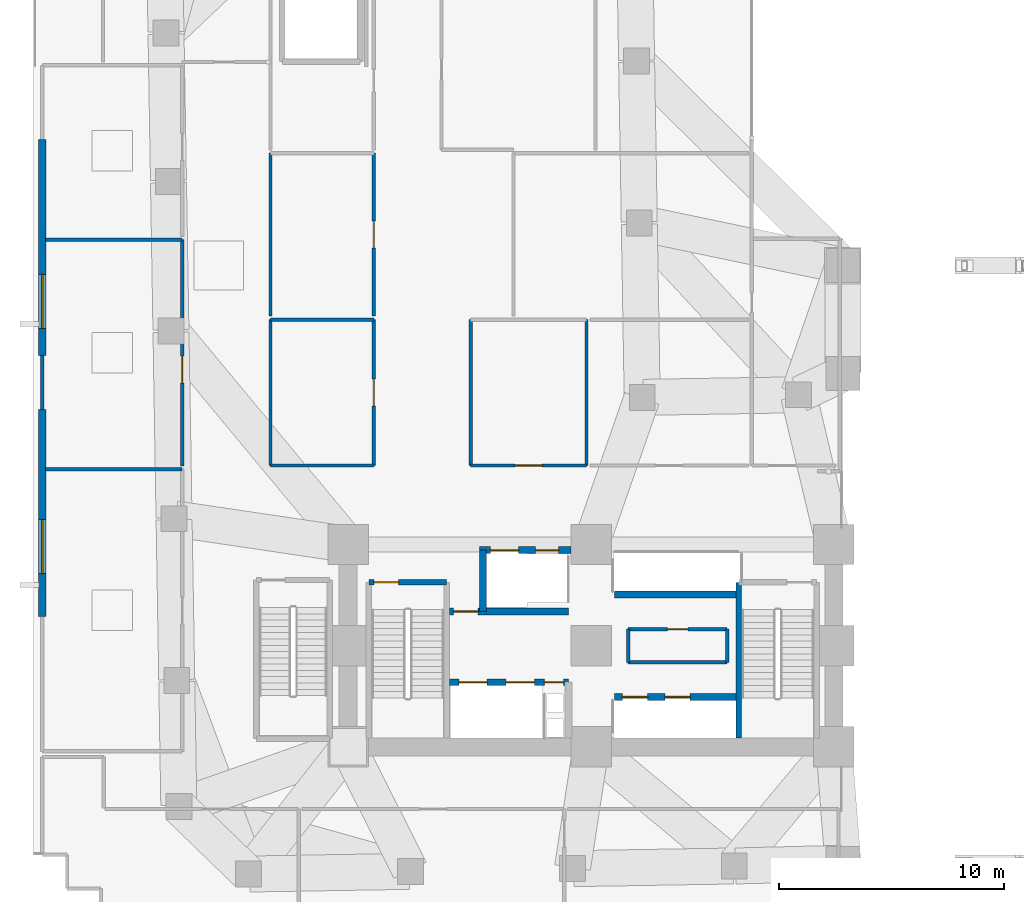
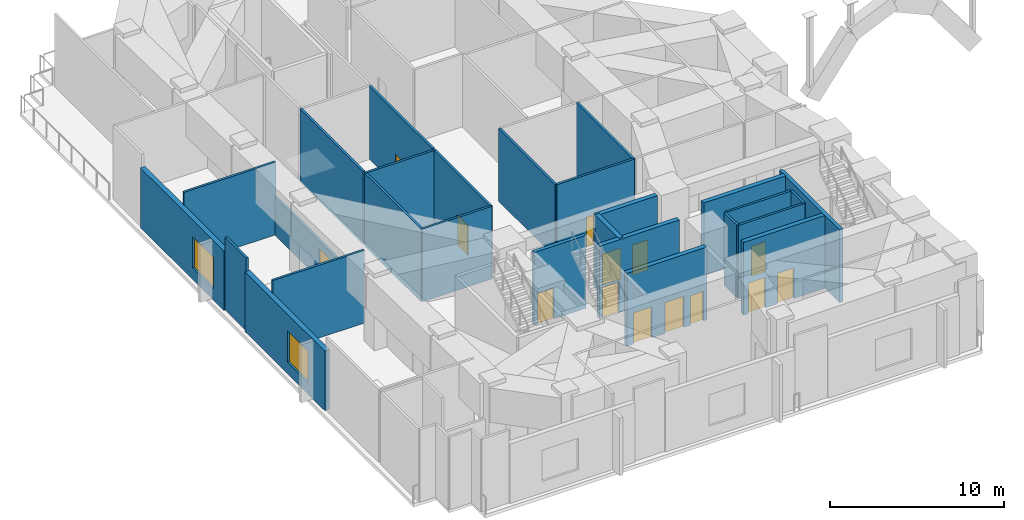
# One storey, part 7 of 15: 27 walls, 14 doors, 2 windows, 16 openings.
"""IFC4 building model written with IfcOpenShell, lengths in metres."""

from ifc_helpers import new_model, si_unit, direction, frame, frame_2d, origin, place, context, subcontext, project, spatial, rectangle, extrude, material, layer, layer_set, type_object, element, fill, save


model = new_model("IFC4")

# Units and contexts
model_context = context("Model", 3, precision=1e-05, world=origin(), true_north=direction((0.0, 1.0)))
body_context = subcontext(model_context, "Body", "Model", "MODEL_VIEW")
ifc_project = project(units=[si_unit("LENGTHUNIT", "METRE"), si_unit("AREAUNIT", "SQUARE_METRE"), si_unit("VOLUMEUNIT", "CUBIC_METRE"), si_unit("PLANEANGLEUNIT", "RADIAN"), si_unit("MASSUNIT", "GRAM", prefix="KILO")], contexts=[model_context])

# Site, building, storey
site_placement = place(None, origin())
site = spatial("IfcSite", under=ifc_project, at=site_placement, CompositionType="ELEMENT")
building_placement = place(site_placement, origin())
building = spatial("IfcBuilding", under=site, at=building_placement, Name="Gaonmaruhae Medical Tower", CompositionType="ELEMENT")
storey_placement = place(building_placement, frame((0.0, 0.0, 21.60009765625)))
storey = spatial("IfcBuildingStorey", under=building, at=storey_placement, Name="L04", CompositionType="ELEMENT", Elevation=21.60009765625)

# Wall, opening, window
ifc_material_1 = material(Name="Precast concrete C45/55", Category="concrete")
ifc_layer_1 = layer(ifc_material_1, 0.320068359375)
ifc_layer_set_1 = layer_set([ifc_layer_1], Name="Precast concrete C45/55")
wall_type_1 = type_object("IfcWallType", Name="EW-320 Lower Precast Masonry-Frame Facade Wall", PredefinedType="SOLIDWALL", material=ifc_layer_set_1)
wall_1_placement = place(storey_placement, frame((0.39990234375, 13.60009765625, 0.0), z_axis=(0.0, 0.0, 1.0), x_axis=(0.0, 1.0, 0.0)))
wall_1 = element("IfcWall", 1, at=wall_1_placement, inside=storey, type_object=wall_type_1, Name="L04 Precast Facade Wall PB-W1", PredefinedType="SOLIDWALL", context=body_context, shape_type="SweptSolid", body=[
    extrude(rectangle(XDim=9.199951171875, YDim=0.320068359375, at=frame_2d((4.60009765625, 0.0))), origin(), (0.0, 0.0, 1.0), 4.179931640625),
])
opening_1_placement = place(wall_1_placement, frame((1.909912109375, 0.0, 0.800048828125)))
opening_1 = element("IfcOpeningElement", 2, at=opening_1_placement, cuts=wall_1, Name="Opening WN-06", PredefinedType="OPENING", context=body_context, shape_type="SweptSolid", body=[
    extrude(rectangle(XDim=2.39990234375, YDim=2.199951171875, at=frame_2d((1.199951171875, 1.10009765625))), frame((0.0, 0.169921875, 0.0), z_axis=(0.0, -1.0, 0.0), x_axis=(1.0, 0.0, 0.0)), (0.0, 0.0, 1.0), 0.340087890625),
])
ifc_material_2 = material(Name="Anodised aluminium and Low-E double glazing", Category="aluminium")
window_type = type_object("IfcWindowType", Name="WN-06 Podium Diagnostic Punched Window 2400x2200", PartitioningType="SINGLE_PANEL", PredefinedType="WINDOW", material=ifc_material_2)
window_1_placement = place(opening_1_placement, origin())
window_1 = element("IfcWindow", 3, at=window_1_placement, inside=storey, type_object=window_type, Name="L04 Podium Punched Window PB-W1", OverallHeight=2.199951171875, OverallWidth=2.39990234375, PartitioningType="SINGLE_PANEL", PredefinedType="WINDOW", context=body_context, shape_type="SweptSolid", body=[
    extrude(rectangle(XDim=2.39990234375, YDim=2.199951171875, at=frame_2d((1.199951171875, 1.10009765625))), frame((0.0, 0.030029296875, 0.0), z_axis=(0.0, -1.0, 0.0), x_axis=(1.0, 0.0, 0.0)), (0.0, 0.0, 1.0), 0.06005859375),
])
fill(opening_1, window_1)

wall_2_placement = place(storey_placement, frame((0.39990234375, 25.199951171875, 0.0), z_axis=(0.0, 0.0, 1.0), x_axis=(0.0, 1.0, 0.0)))
wall_2 = element("IfcWall", 4, at=wall_2_placement, inside=storey, type_object=wall_type_1, Name="L04 Precast Facade Wall PB-W2", PredefinedType="SOLIDWALL", context=body_context, shape_type="SweptSolid", body=[
    extrude(rectangle(XDim=9.60009765625, YDim=0.320068359375, at=frame_2d((4.800048828125, 0.0))), origin(), (0.0, 0.0, 1.0), 4.179931640625),
])
opening_2_placement = place(wall_2_placement, frame((1.2099609375, 0.0, 0.800048828125)))
opening_2 = element("IfcOpeningElement", 5, at=opening_2_placement, cuts=wall_2, Name="Opening WN-06", PredefinedType="OPENING", context=body_context, shape_type="SweptSolid", body=[
    extrude(rectangle(XDim=2.39990234375, YDim=2.199951171875, at=frame_2d((1.199951171875, 1.10009765625))), frame((0.0, 0.169921875, 0.0), z_axis=(0.0, -1.0, 0.0), x_axis=(1.0, 0.0, 0.0)), (0.0, 0.0, 1.0), 0.340087890625),
])
window_2_placement = place(opening_2_placement, origin())
window_2 = element("IfcWindow", 6, at=window_2_placement, inside=storey, type_object=window_type, Name="L04 Podium Punched Window PB-W2", OverallHeight=2.199951171875, OverallWidth=2.39990234375, PartitioningType="SINGLE_PANEL", PredefinedType="WINDOW", context=body_context, shape_type="SweptSolid", body=[
    extrude(rectangle(XDim=2.39990234375, YDim=2.199951171875, at=frame_2d((1.199951171875, 1.10009765625))), frame((0.0, 0.030029296875, 0.0), z_axis=(0.0, -1.0, 0.0), x_axis=(1.0, 0.0, 0.0)), (0.0, 0.0, 1.0), 0.06005859375),
])
fill(opening_2, window_2)

# Wall
ifc_material_3 = material(Name="Gypsum board partition", Category="gypsum")
ifc_layer_2 = layer(ifc_material_3, 0.14990234375)
ifc_layer_set_2 = layer_set([ifc_layer_2], Name="Gypsum board partition")
wall_type_2 = type_object("IfcWallType", Name="PW-150 Rated Clinical Corridor Partition", PredefinedType="PARTITIONING", material=ifc_layer_set_2)
wall_3_placement = place(storey_placement, frame((26.449951171875, 11.56005859375, 0.0), z_axis=(0.0, 0.0, 1.0), x_axis=(0.0, 1.0, 0.0)))
element("IfcWall", 7, at=wall_3_placement, inside=storey, type_object=wall_type_2, Name="L04 Interior Partition L04-CS1-1", PredefinedType="PARTITIONING", context=body_context, shape_type="SweptSolid", body=[
    extrude(rectangle(XDim=1.47998046875, YDim=0.14990234375, at=frame_2d((0.739990234375, 0.0))), origin(), (0.0, 0.0, 1.0), 5.099853515625),
])

# Wall, opening, door
wall_4_placement = place(storey_placement, frame((26.449951171875, 13.0400390625, 0.0), z_axis=(0.0, 0.0, 1.0), x_axis=(1.0, 0.0, 0.0)))
wall_4 = element("IfcWall", 8, at=wall_4_placement, inside=storey, type_object=wall_type_2, Name="L04 Interior Partition L04-CS1-2", PredefinedType="PARTITIONING", context=body_context, shape_type="SweptSolid", body=[
    extrude(rectangle(XDim=4.400146484375, YDim=0.14990234375, at=frame_2d((2.2001953125, 0.0))), origin(), (0.0, 0.0, 1.0), 5.099853515625),
])
opening_3_placement = place(wall_4_placement, frame((1.739990234375, 0.0, 0.0)))
opening_3 = element("IfcOpeningElement", 9, at=opening_3_placement, cuts=wall_4, Name="Opening UD-01", PredefinedType="OPENING", context=body_context, shape_type="SweptSolid", body=[
    extrude(rectangle(XDim=0.919921875, YDim=2.10009765625, at=frame_2d((0.4599609375, 1.050048828125))), frame((0.0, 0.0849609375, 0.0), z_axis=(0.0, -1.0, 0.0), x_axis=(1.0, 0.0, 0.0)), (0.0, 0.0, 1.0), 0.169921875),
])
ifc_material_4 = material(Name="Powder-coated steel utility door", Category="steel")
door_type_1 = type_object("IfcDoorType", Name="UD-01 Toilet, Utility & Housekeeping Door 920x2100", OperationType="NOTDEFINED", PredefinedType="DOOR", material=ifc_material_4)
door_1_placement = place(opening_3_placement, origin())
door_1 = element("IfcDoor", 10, at=door_1_placement, inside=storey, type_object=door_type_1, Name="L04 Clean Linen Utility Store Door", OperationType="SINGLE_SWING_RIGHT", OverallHeight=2.10009765625, OverallWidth=0.919921875, PredefinedType="DOOR", context=body_context, shape_type="SweptSolid", body=[
    extrude(rectangle(XDim=0.919921875, YDim=2.10009765625, at=frame_2d((0.4599609375, 1.050048828125))), frame((0.0, 0.02490234375, 0.0), z_axis=(0.0, -1.0, 0.0), x_axis=(1.0, 0.0, 0.0)), (0.0, 0.0, 1.0), 0.050048828125),
])
fill(opening_3, door_1)

# Walls
wall_5_placement = place(storey_placement, frame((30.85009765625, 13.0400390625, 0.0), z_axis=(0.0, 0.0, 1.0), x_axis=(0.0, -1.0, 0.0)))
element("IfcWall", 11, at=wall_5_placement, inside=storey, type_object=wall_type_2, Name="L04 Interior Partition L04-CS1-3", PredefinedType="PARTITIONING", context=body_context, shape_type="SweptSolid", body=[
    extrude(rectangle(XDim=1.47998046875, YDim=0.14990234375, at=frame_2d((0.739990234375, 0.0))), origin(), (0.0, 0.0, 1.0), 5.099853515625),
])
wall_6_placement = place(storey_placement, frame((30.85009765625, 11.56005859375, 0.0), z_axis=(0.0, 0.0, 1.0), x_axis=(-1.0, 0.0, 0.0)))
element("IfcWall", 12, at=wall_6_placement, inside=storey, type_object=wall_type_2, Name="L04 Interior Partition L04-CS1-4", PredefinedType="PARTITIONING", context=body_context, shape_type="SweptSolid", body=[
    extrude(rectangle(XDim=4.400146484375, YDim=0.14990234375, at=frame_2d((2.2001953125, 0.0))), origin(), (0.0, 0.0, 1.0), 5.099853515625),
])
for number, where, z_axis, x_axis, name in (
    (13, (0.534912109375, 20.14990234375, 0.0), (0.0, 0.0, 1.0), (1.0, 0.0, 0.0), "L04 Interior Partition L04-WP1-5"),
    (14, (0.534912109375, 30.35009765625, 0.0), (0.0, 0.0, 1.0), (1.0, 0.0, 0.0), "L04 Interior Partition L04-WP2-9"),
):
    element("IfcWall", number, at=place(storey_placement, frame(where, z_axis=z_axis, x_axis=x_axis)), inside=storey, type_object=wall_type_2, Name=name, PredefinedType="PARTITIONING", context=body_context, shape_type="SweptSolid", body=[
        extrude(rectangle(XDim=6.085205078125, YDim=0.14990234375, at=frame_2d((3.04248046875, 0.0))), origin(), (0.0, 0.0, 1.0), 5.099853515625),
    ])

# Wall, opening, door
wall_7_placement = place(storey_placement, frame((6.6201171875, 30.35009765625, 0.0), z_axis=(0.0, 0.0, 1.0), x_axis=(0.0, -1.0, 0.0)))
wall_7 = element("IfcWall", 15, at=wall_7_placement, inside=storey, type_object=wall_type_2, Name="L04 Interior Partition L04-WP2-10", PredefinedType="PARTITIONING", context=body_context, shape_type="SweptSolid", body=[
    extrude(rectangle(XDim=10.050048828125, YDim=0.14990234375, at=frame_2d((5.02490234375, 0.0))), origin(), (0.0, 0.0, 1.0), 2.684814453125),
])
opening_4_placement = place(wall_7_placement, frame((5.171142578125, 0.0, 0.0)))
opening_4 = element("IfcOpeningElement", 16, at=opening_4_placement, cuts=wall_7, Name="Opening CD-02", PredefinedType="OPENING", context=body_context, shape_type="SweptSolid", body=[
    extrude(rectangle(XDim=1.199951171875, YDim=2.14990234375, at=frame_2d((0.60009765625, 1.074951171875))), frame((0.0, 0.0849609375, 0.0), z_axis=(0.0, -1.0, 0.0), x_axis=(1.0, 0.0, 0.0)), (0.0, 0.0, 1.0), 0.169921875),
])
ifc_material_5 = material(Name="Antimicrobial laminate timber fire door", Category="wood")
door_type_2 = type_object("IfcDoorType", Name="CD-02 Clinical Treatment & Procedure Door 1200x2150", OperationType="NOTDEFINED", PredefinedType="DOOR", material=ifc_material_5)
door_2_placement = place(opening_4_placement, origin())
door_2 = element("IfcDoor", 17, at=door_2_placement, inside=storey, type_object=door_type_2, Name="L04 L04 Outpatient Consultation Clinic B Door", OperationType="SINGLE_SWING_RIGHT", OverallHeight=2.14990234375, OverallWidth=1.199951171875, PredefinedType="DOOR", context=body_context, shape_type="SweptSolid", body=[
    extrude(rectangle(XDim=1.199951171875, YDim=2.14990234375, at=frame_2d((0.60009765625, 1.074951171875))), frame((0.0, 0.02490234375, 0.0), z_axis=(0.0, -1.0, 0.0), x_axis=(1.0, 0.0, 0.0)), (0.0, 0.0, 1.0), 0.050048828125),
])
fill(opening_4, door_2)

# Walls
wall_8_placement = place(storey_placement, frame((0.39990234375, 22.800048828125, 0.0), z_axis=(0.0, 0.0, 1.0), x_axis=(0.0, 1.0, 0.0)))
element("IfcWall", 18, at=wall_8_placement, inside=storey, type_object=wall_type_2, Name="L04 Interior Partition L04-WP2-11", PredefinedType="PARTITIONING", context=body_context, shape_type="SweptSolid", body=[
    extrude(rectangle(XDim=2.39990234375, YDim=0.14990234375, at=frame_2d((1.199951171875, 0.0))), origin(), (0.0, 0.0, 1.0), 5.099853515625),
])
wall_9_placement = place(storey_placement, frame((10.550048828125, 20.31005859375, 0.0), z_axis=(0.0, 0.0, 1.0), x_axis=(0.0, 1.0, 0.0)))
element("IfcWall", 19, at=wall_9_placement, inside=storey, type_object=wall_type_2, Name="L04 Interior Partition L04-S4-54", PredefinedType="PARTITIONING", context=body_context, shape_type="SweptSolid", body=[
    extrude(rectangle(XDim=6.489990234375, YDim=0.14990234375, at=frame_2d((3.2451171875, 0.0))), origin(), (0.0, 0.0, 1.0), 5.099853515625),
])
wall_10_placement = place(storey_placement, frame((10.550048828125, 26.800048828125, 0.0), z_axis=(0.0, 0.0, 1.0), x_axis=(1.0, 0.0, 0.0)))
element("IfcWall", 20, at=wall_10_placement, inside=storey, type_object=wall_type_2, Name="L04 Interior Partition L04-S4-55", PredefinedType="PARTITIONING", context=body_context, shape_type="SweptSolid", body=[
    extrude(rectangle(XDim=4.58984375, YDim=0.14990234375, at=frame_2d((2.294921875, 0.0))), origin(), (0.0, 0.0, 1.0), 5.099853515625),
])

# Wall, opening, door
wall_11_placement = place(storey_placement, frame((15.139892578125, 26.800048828125, 0.0), z_axis=(0.0, 0.0, 1.0), x_axis=(0.0, -1.0, 0.0)))
wall_11 = element("IfcWall", 21, at=wall_11_placement, inside=storey, type_object=wall_type_2, Name="L04 Interior Partition L04-S4-56", PredefinedType="PARTITIONING", context=body_context, shape_type="SweptSolid", body=[
    extrude(rectangle(XDim=6.489990234375, YDim=0.14990234375, at=frame_2d((3.2451171875, 0.0))), origin(), (0.0, 0.0, 1.0), 5.099853515625),
])
opening_5_placement = place(wall_11_placement, frame((2.64501953125, 0.0, 0.0)))
opening_5 = element("IfcOpeningElement", 22, at=opening_5_placement, cuts=wall_11, Name="Opening CD-02", PredefinedType="OPENING", context=body_context, shape_type="SweptSolid", body=[
    extrude(rectangle(XDim=1.199951171875, YDim=2.14990234375, at=frame_2d((0.60009765625, 1.074951171875))), frame((0.0, 0.0849609375, 0.0), z_axis=(0.0, -1.0, 0.0), x_axis=(1.0, 0.0, 0.0)), (0.0, 0.0, 1.0), 0.169921875),
])
door_3_placement = place(opening_5_placement, origin())
door_3 = element("IfcDoor", 23, at=door_3_placement, inside=storey, type_object=door_type_2, Name="L04 Surgical Intensive Care Ward Door", OperationType="SINGLE_SWING_LEFT", OverallHeight=2.14990234375, OverallWidth=1.199951171875, PredefinedType="DOOR", context=body_context, shape_type="SweptSolid", body=[
    extrude(rectangle(XDim=1.199951171875, YDim=2.14990234375, at=frame_2d((0.60009765625, 1.074951171875))), frame((0.0, 0.02490234375, 0.0), z_axis=(0.0, -1.0, 0.0), x_axis=(1.0, 0.0, 0.0)), (0.0, 0.0, 1.0), 0.050048828125),
])
fill(opening_5, door_3)

# Walls
wall_12_placement = place(storey_placement, frame((15.139892578125, 20.31005859375, 0.0), z_axis=(0.0, 0.0, 1.0), x_axis=(-1.0, 0.0, 0.0)))
element("IfcWall", 24, at=wall_12_placement, inside=storey, type_object=wall_type_2, Name="L04 Interior Partition L04-S4-57", PredefinedType="PARTITIONING", context=body_context, shape_type="SweptSolid", body=[
    extrude(rectangle(XDim=4.58984375, YDim=0.14990234375, at=frame_2d((2.294921875, 0.0))), origin(), (0.0, 0.0, 1.0), 5.099853515625),
])
wall_13_placement = place(storey_placement, frame((24.60009765625, 26.800048828125, 0.0), z_axis=(0.0, 0.0, 1.0), x_axis=(0.0, -1.0, 0.0)))
element("IfcWall", 25, at=wall_13_placement, inside=storey, type_object=wall_type_2, Name="L04 Interior Partition L04-S5-59", PredefinedType="PARTITIONING", context=body_context, shape_type="SweptSolid", body=[
    extrude(rectangle(XDim=6.489990234375, YDim=0.14990234375, at=frame_2d((3.2451171875, 0.0))), origin(), (0.0, 0.0, 1.0), 5.099853515625),
])

# Wall, opening, door
wall_14_placement = place(storey_placement, frame((24.60009765625, 20.31005859375, 0.0), z_axis=(0.0, 0.0, 1.0), x_axis=(-1.0, 0.0, 0.0)))
wall_14 = element("IfcWall", 26, at=wall_14_placement, inside=storey, type_object=wall_type_2, Name="L04 Interior Partition L04-S5-60", PredefinedType="PARTITIONING", context=body_context, shape_type="SweptSolid", body=[
    extrude(rectangle(XDim=5.150146484375, YDim=0.14990234375, at=frame_2d((2.5751953125, 0.0))), origin(), (0.0, 0.0, 1.0), 5.099853515625),
])
opening_6_placement = place(wall_14_placement, frame((1.97509765625, 0.0, 0.0)))
opening_6 = element("IfcOpeningElement", 27, at=opening_6_placement, cuts=wall_14, Name="Opening CD-02", PredefinedType="OPENING", context=body_context, shape_type="SweptSolid", body=[
    extrude(rectangle(XDim=1.199951171875, YDim=2.14990234375, at=frame_2d((0.60009765625, 1.074951171875))), frame((0.0, 0.0849609375, 0.0), z_axis=(0.0, -1.0, 0.0), x_axis=(1.0, 0.0, 0.0)), (0.0, 0.0, 1.0), 0.169921875),
])
door_4_placement = place(opening_6_placement, origin())
door_4 = element("IfcDoor", 28, at=door_4_placement, inside=storey, type_object=door_type_2, Name="L04 Cardiothoracic Intensive Care Ward Door", OperationType="SINGLE_SWING_RIGHT", OverallHeight=2.14990234375, OverallWidth=1.199951171875, PredefinedType="DOOR", context=body_context, shape_type="SweptSolid", body=[
    extrude(rectangle(XDim=1.199951171875, YDim=2.14990234375, at=frame_2d((0.60009765625, 1.074951171875))), frame((0.0, 0.02490234375, 0.0), z_axis=(0.0, -1.0, 0.0), x_axis=(1.0, 0.0, 0.0)), (0.0, 0.0, 1.0), 0.050048828125),
])
fill(opening_6, door_4)

# Walls
wall_15_placement = place(storey_placement, frame((19.449951171875, 20.31005859375, 0.0), z_axis=(0.0, 0.0, 1.0), x_axis=(0.0, 1.0, 0.0)))
element("IfcWall", 29, at=wall_15_placement, inside=storey, type_object=wall_type_2, Name="L04 Interior Partition L04-S5-61", PredefinedType="PARTITIONING", context=body_context, shape_type="SweptSolid", body=[
    extrude(rectangle(XDim=6.489990234375, YDim=0.14990234375, at=frame_2d((3.2451171875, 0.0))), origin(), (0.0, 0.0, 1.0), 5.099853515625),
])
wall_16_placement = place(storey_placement, frame((10.550048828125, 26.949951171875, 0.0), z_axis=(0.0, 0.0, 1.0), x_axis=(0.0, 1.0, 0.0)))
element("IfcWall", 30, at=wall_16_placement, inside=storey, type_object=wall_type_2, Name="L04 Interior Partition L04-S7-64", PredefinedType="PARTITIONING", context=body_context, shape_type="SweptSolid", body=[
    extrude(rectangle(XDim=7.25, YDim=0.14990234375, at=frame_2d((3.625, 0.0))), origin(), (0.0, 0.0, 1.0), 5.099853515625),
])

# Wall, opening, door
wall_17_placement = place(storey_placement, frame((15.139892578125, 34.199951171875, 0.0), z_axis=(0.0, 0.0, 1.0), x_axis=(0.0, -1.0, 0.0)))
wall_17 = element("IfcWall", 31, at=wall_17_placement, inside=storey, type_object=wall_type_2, Name="L04 Interior Partition L04-S7-66", PredefinedType="PARTITIONING", context=body_context, shape_type="SweptSolid", body=[
    extrude(rectangle(XDim=7.25, YDim=0.14990234375, at=frame_2d((3.625, 0.0))), origin(), (0.0, 0.0, 1.0), 5.099853515625),
])
opening_7_placement = place(wall_17_placement, frame((3.02490234375, 0.0, 0.0)))
opening_7 = element("IfcOpeningElement", 32, at=opening_7_placement, cuts=wall_17, Name="Opening CD-02", PredefinedType="OPENING", context=body_context, shape_type="SweptSolid", body=[
    extrude(rectangle(XDim=1.199951171875, YDim=2.14990234375, at=frame_2d((0.60009765625, 1.074951171875))), frame((0.0, 0.0849609375, 0.0), z_axis=(0.0, -1.0, 0.0), x_axis=(1.0, 0.0, 0.0)), (0.0, 0.0, 1.0), 0.169921875),
])
door_5_placement = place(opening_7_placement, origin())
door_5 = element("IfcDoor", 33, at=door_5_placement, inside=storey, type_object=door_type_2, Name="L04 Post-Anaesthesia Recovery Ward Door", OperationType="SINGLE_SWING_RIGHT", OverallHeight=2.14990234375, OverallWidth=1.199951171875, PredefinedType="DOOR", context=body_context, shape_type="SweptSolid", body=[
    extrude(rectangle(XDim=1.199951171875, YDim=2.14990234375, at=frame_2d((0.60009765625, 1.074951171875))), frame((0.0, 0.02490234375, 0.0), z_axis=(0.0, -1.0, 0.0), x_axis=(1.0, 0.0, 0.0)), (0.0, 0.0, 1.0), 0.050048828125),
])
fill(opening_7, door_5)

ifc_material_6 = material(Name="Concrete C50/60", Category="concrete")
ifc_layer_3 = layer(ifc_material_6, 0.239990234375)
ifc_layer_set_3 = layer_set([ifc_layer_3], Name="Concrete C50/60")
wall_type_3 = type_object("IfcWallType", Name="SW-240 Dogleg Stair Tight Shaft Wall", PredefinedType="SOLIDWALL", material=ifc_layer_set_3)
wall_18_placement = place(storey_placement, frame((14.919921875, 15.1201171875, 0.0), z_axis=(0.0, 0.0, 1.0), x_axis=(1.0, 0.0, 0.0)))
wall_18 = element("IfcWall", 34, at=wall_18_placement, inside=storey, type_object=wall_type_3, Name="L04 ST-01 Stair Shaft Wall SHW-ST-01-N", PredefinedType="SOLIDWALL", context=body_context, shape_type="SweptSolid", body=[
    extrude(rectangle(XDim=3.4599609375, YDim=0.239990234375, at=frame_2d((1.72998046875, 0.0))), origin(), (0.0, 0.0, 1.0), 5.099853515625),
])
opening_8_placement = place(wall_18_placement, frame((0.219970703125, 0.0, 0.0)))
opening_8 = element("IfcOpeningElement", 35, at=opening_8_placement, cuts=wall_18, Name="Opening FD-01", PredefinedType="OPENING", context=body_context, shape_type="SweptSolid", body=[
    extrude(rectangle(XDim=1.10009765625, YDim=2.14990234375, at=frame_2d((0.550048828125, 1.074951171875))), frame((0.0, 0.1298828125, 0.0), z_axis=(0.0, -1.0, 0.0), x_axis=(1.0, 0.0, 0.0)), (0.0, 0.0, 1.0), 0.260009765625),
])
ifc_material_7 = material(Name="Powder-coated steel fire door", Category="steel")
door_type_3 = type_object("IfcDoorType", Name="FD-01 Escape Stair Protected Fire Door 1100x2150", OperationType="NOTDEFINED", PredefinedType="DOOR", material=ifc_material_7)
door_6_placement = place(opening_8_placement, origin())
door_6 = element("IfcDoor", 36, at=door_6_placement, inside=storey, type_object=door_type_3, Name="L04 ST-01 Protected Escape Stair Door", OperationType="SINGLE_SWING_LEFT", OverallHeight=2.14990234375, OverallWidth=1.10009765625, PredefinedType="DOOR", context=body_context, shape_type="SweptSolid", body=[
    extrude(rectangle(XDim=1.10009765625, YDim=2.14990234375, at=frame_2d((0.550048828125, 1.074951171875))), frame((0.0, 0.02490234375, 0.0), z_axis=(0.0, -1.0, 0.0), x_axis=(1.0, 0.0, 0.0)), (0.0, 0.0, 1.0), 0.050048828125),
])
fill(opening_8, door_6)

# Wall
wall_19_placement = place(storey_placement, frame((31.3701171875, 8.199951171875, 0.0), z_axis=(0.0, 0.0, 1.0), x_axis=(0.0, 1.0, 0.0)))
element("IfcWall", 37, at=wall_19_placement, inside=storey, type_object=wall_type_3, Name="L04 ST-02 Stair Shaft Wall SHW-ST-02-W", PredefinedType="SOLIDWALL", context=body_context, shape_type="SweptSolid", body=[
    extrude(rectangle(XDim=6.920166015625, YDim=0.239990234375, at=frame_2d((3.4599609375, 0.0))), origin(), (0.0, 0.0, 1.0), 5.099853515625),
])

# Wall, openings, doors
ifc_layer_4 = layer(ifc_material_6, 0.300048828125)
ifc_layer_set_4 = layer_set([ifc_layer_4], Name="Concrete C50/60")
wall_type_4 = type_object("IfcWallType", Name="SW-300 Stair & Lift Hoistway Shaft Wall", PredefinedType="SOLIDWALL", material=ifc_layer_set_4)
wall_20_placement = place(storey_placement, frame((19.85009765625, 16.550048828125, 0.0), z_axis=(0.0, 0.0, 1.0), x_axis=(1.0, 0.0, 0.0)))
wall_20 = element("IfcWall", 38, at=wall_20_placement, inside=storey, type_object=wall_type_4, Name="L04 Core Shear Wall CSW-NB", PredefinedType="SOLIDWALL", context=body_context, shape_type="SweptSolid", body=[
    extrude(rectangle(XDim=4.0498046875, YDim=0.300048828125, at=frame_2d((2.02490234375, 0.0))), origin(), (0.0, 0.0, 1.0), 5.099853515625),
])
opening_9_placement = place(wall_20_placement, frame((0.47509765625, 0.0, 0.0)))
opening_9 = element("IfcOpeningElement", 39, at=opening_9_placement, cuts=wall_20, Name="Opening LD-F1", PredefinedType="OPENING", context=body_context, shape_type="SweptSolid", body=[
    extrude(rectangle(XDim=1.25, YDim=2.179931640625, at=frame_2d((0.625, 1.08984375))), frame((0.0, 0.16015625, 0.0), z_axis=(0.0, -1.0, 0.0), x_axis=(1.0, 0.0, 0.0)), (0.0, 0.0, 1.0), 0.320068359375),
])
opening_10_placement = place(wall_20_placement, frame((2.489990234375, 0.0, 0.0)))
opening_10 = element("IfcOpeningElement", 40, at=opening_10_placement, cuts=wall_20, Name="Opening LD-S1", PredefinedType="OPENING", context=body_context, shape_type="SweptSolid", body=[
    extrude(rectangle(XDim=1.02001953125, YDim=2.1201171875, at=frame_2d((0.510009765625, 1.06005859375))), frame((0.0, 0.16015625, 0.0), z_axis=(0.0, -1.0, 0.0), x_axis=(1.0, 0.0, 0.0)), (0.0, 0.0, 1.0), 0.320068359375),
])
ifc_material_8 = material(Name="Brushed stainless steel 316L landing door", Category="steel")
door_type_4 = type_object("IfcDoorType", Name="LD-F1 Firefighting & Bed Lift Sliding Landing Door 1250x2180", OperationType="NOTDEFINED", PredefinedType="DOOR", material=ifc_material_8)
door_7_placement = place(opening_9_placement, origin())
door_7 = element("IfcDoor", 41, at=door_7_placement, inside=storey, type_object=door_type_4, Name="L04 Service/Bed Lift Landing Door BDL-01", OperationType="DOUBLE_DOOR_SLIDING", OverallHeight=2.179931640625, OverallWidth=1.25, PredefinedType="DOOR", context=body_context, shape_type="SweptSolid", body=[
    extrude(rectangle(XDim=1.25, YDim=2.179931640625, at=frame_2d((0.625, 1.08984375))), frame((0.0, 0.02490234375, 0.0), z_axis=(0.0, -1.0, 0.0), x_axis=(1.0, 0.0, 0.0)), (0.0, 0.0, 1.0), 0.050048828125),
])
fill(opening_9, door_7)
ifc_material_9 = material(Name="Brushed stainless steel 304 landing door", Category="steel")
door_type_5 = type_object("IfcDoorType", Name="LD-S1 Service Lift Sliding Landing Door 1020x2120", OperationType="NOTDEFINED", PredefinedType="DOOR", material=ifc_material_9)
door_8_placement = place(opening_10_placement, origin())
door_8 = element("IfcDoor", 42, at=door_8_placement, inside=storey, type_object=door_type_5, Name="L04 Service/Bed Lift Landing Door SVL-01", OperationType="SLIDING_TO_LEFT", OverallHeight=2.1201171875, OverallWidth=1.02001953125, PredefinedType="DOOR", context=body_context, shape_type="SweptSolid", body=[
    extrude(rectangle(XDim=1.02001953125, YDim=2.1201171875, at=frame_2d((0.510009765625, 1.06005859375))), frame((0.0, 0.02490234375, 0.0), z_axis=(0.0, -1.0, 0.0), x_axis=(1.0, 0.0, 0.0)), (0.0, 0.0, 1.0), 0.050048828125),
])
fill(opening_10, door_8)

wall_21_placement = place(storey_placement, frame((18.5, 10.679931640625, 0.0), z_axis=(0.0, 0.0, 1.0), x_axis=(1.0, 0.0, 0.0)))
wall_21 = element("IfcWall", 43, at=wall_21_placement, inside=storey, type_object=wall_type_4, Name="L04 Shaft Enclosure Wall SHW-FFN", PredefinedType="SOLIDWALL", context=body_context, shape_type="SweptSolid", body=[
    extrude(rectangle(XDim=5.300048828125, YDim=0.300048828125, at=frame_2d((2.64990234375, 0.0))), origin(), (0.0, 0.0, 1.0), 5.099853515625),
])
opening_11_placement = place(wall_21_placement, frame((4.219970703125, 0.0, 0.0)))
opening_11 = element("IfcOpeningElement", 44, at=opening_11_placement, cuts=wall_21, Name="Opening AD-01", PredefinedType="OPENING", context=body_context, shape_type="SweptSolid", body=[
    extrude(rectangle(XDim=0.860107421875, YDim=2.06005859375, at=frame_2d((0.43017578125, 1.030029296875))), frame((0.0, 0.16015625, 0.0), z_axis=(0.0, -1.0, 0.0), x_axis=(1.0, 0.0, 0.0)), (0.0, 0.0, 1.0), 0.320068359375),
])
opening_12_placement = place(wall_21_placement, frame((0.425048828125, 0.0, 0.0)))
opening_12 = element("IfcOpeningElement", 45, at=opening_12_placement, cuts=wall_21, Name="Opening LD-F1", PredefinedType="OPENING", context=body_context, shape_type="SweptSolid", body=[
    extrude(rectangle(XDim=1.25, YDim=2.179931640625, at=frame_2d((0.625, 1.08984375))), frame((0.0, 0.16015625, 0.0), z_axis=(0.0, -1.0, 0.0), x_axis=(1.0, 0.0, 0.0)), (0.0, 0.0, 1.0), 0.320068359375),
])
opening_13_placement = place(wall_21_placement, frame((2.52490234375, 0.0, 0.0)))
opening_13 = element("IfcOpeningElement", 46, at=opening_13_placement, cuts=wall_21, Name="Opening LD-F1", PredefinedType="OPENING", context=body_context, shape_type="SweptSolid", body=[
    extrude(rectangle(XDim=1.25, YDim=2.179931640625, at=frame_2d((0.625, 1.08984375))), frame((0.0, 0.16015625, 0.0), z_axis=(0.0, -1.0, 0.0), x_axis=(1.0, 0.0, 0.0)), (0.0, 0.0, 1.0), 0.320068359375),
])
ifc_material_10 = material(Name="Powder-coated steel access door", Category="steel")
door_type_6 = type_object("IfcDoorType", Name="AD-01 Riser & Closet Access Fire Door 860x2060", OperationType="NOTDEFINED", PredefinedType="DOOR", material=ifc_material_10)
door_9_placement = place(opening_11_placement, origin())
door_9 = element("IfcDoor", 47, at=door_9_placement, inside=storey, type_object=door_type_6, Name="L04 Medical Gas and MEP Riser Access Door", OperationType="SINGLE_SWING_RIGHT", OverallHeight=2.06005859375, OverallWidth=0.860107421875, PredefinedType="DOOR", context=body_context, shape_type="SweptSolid", body=[
    extrude(rectangle(XDim=0.860107421875, YDim=2.06005859375, at=frame_2d((0.43017578125, 1.030029296875))), frame((0.0, 0.02490234375, 0.0), z_axis=(0.0, -1.0, 0.0), x_axis=(1.0, 0.0, 0.0)), (0.0, 0.0, 1.0), 0.050048828125),
])
fill(opening_11, door_9)
door_10_placement = place(opening_12_placement, origin())
door_10 = element("IfcDoor", 48, at=door_10_placement, inside=storey, type_object=door_type_4, Name="L04 Firefighting Lift Landing Door FFL-01", OperationType="DOUBLE_DOOR_SLIDING", OverallHeight=2.179931640625, OverallWidth=1.25, PredefinedType="DOOR", context=body_context, shape_type="SweptSolid", body=[
    extrude(rectangle(XDim=1.25, YDim=2.179931640625, at=frame_2d((0.625, 1.08984375))), frame((0.0, 0.02490234375, 0.0), z_axis=(0.0, -1.0, 0.0), x_axis=(1.0, 0.0, 0.0)), (0.0, 0.0, 1.0), 0.050048828125),
])
fill(opening_12, door_10)
door_11_placement = place(opening_13_placement, origin())
door_11 = element("IfcDoor", 49, at=door_11_placement, inside=storey, type_object=door_type_4, Name="L04 Firefighting Lift Landing Door FFL-02", OperationType="DOUBLE_DOOR_SLIDING", OverallHeight=2.179931640625, OverallWidth=1.25, PredefinedType="DOOR", context=body_context, shape_type="SweptSolid", body=[
    extrude(rectangle(XDim=1.25, YDim=2.179931640625, at=frame_2d((0.625, 1.08984375))), frame((0.0, 0.02490234375, 0.0), z_axis=(0.0, -1.0, 0.0), x_axis=(1.0, 0.0, 0.0)), (0.0, 0.0, 1.0), 0.050048828125),
])
fill(opening_13, door_11)

# Wall, opening, door
wall_22_placement = place(storey_placement, frame((18.5, 13.820068359375, 0.0), z_axis=(0.0, 0.0, 1.0), x_axis=(1.0, 0.0, 0.0)))
wall_22 = element("IfcWall", 50, at=wall_22_placement, inside=storey, type_object=wall_type_4, Name="L04 Shaft Enclosure Wall SHW-FFL", PredefinedType="SOLIDWALL", context=body_context, shape_type="SweptSolid", body=[
    extrude(rectangle(XDim=5.300048828125, YDim=0.300048828125, at=frame_2d((2.64990234375, 0.0))), origin(), (0.0, 0.0, 1.0), 5.099853515625),
])
opening_14_placement = place(wall_22_placement, frame((0.179931640625, 0.0, 0.0)))
opening_14 = element("IfcOpeningElement", 51, at=opening_14_placement, cuts=wall_22, Name="Opening FD-01", PredefinedType="OPENING", context=body_context, shape_type="SweptSolid", body=[
    extrude(rectangle(XDim=1.10009765625, YDim=2.14990234375, at=frame_2d((0.550048828125, 1.074951171875))), frame((0.0, 0.16015625, 0.0), z_axis=(0.0, -1.0, 0.0), x_axis=(1.0, 0.0, 0.0)), (0.0, 0.0, 1.0), 0.320068359375),
])
door_12_placement = place(opening_14_placement, origin())
door_12 = element("IfcDoor", 52, at=door_12_placement, inside=storey, type_object=door_type_3, Name="L04 Firefighting Lobby Smoke Door", OperationType="SINGLE_SWING_LEFT", OverallHeight=2.14990234375, OverallWidth=1.10009765625, PredefinedType="DOOR", context=body_context, shape_type="SweptSolid", body=[
    extrude(rectangle(XDim=1.10009765625, YDim=2.14990234375, at=frame_2d((0.550048828125, 1.074951171875))), frame((0.0, 0.02490234375, 0.0), z_axis=(0.0, -1.0, 0.0), x_axis=(1.0, 0.0, 0.0)), (0.0, 0.0, 1.0), 0.050048828125),
])
fill(opening_14, door_12)

# Wall
wall_23_placement = place(storey_placement, frame((20.0, 13.820068359375, 0.0), z_axis=(0.0, 0.0, 1.0), x_axis=(0.0, 1.0, 0.0)))
element("IfcWall", 53, at=wall_23_placement, inside=storey, type_object=wall_type_4, Name="L04 Shaft Enclosure Wall SHW-BDW", PredefinedType="SOLIDWALL", context=body_context, shape_type="SweptSolid", body=[
    extrude(rectangle(XDim=2.72998046875, YDim=0.300048828125, at=frame_2d((1.364990234375, 0.0))), origin(), (0.0, 0.0, 1.0), 5.099853515625),
])

# Wall, openings, doors
wall_24_placement = place(storey_placement, frame((25.85009765625, 10.02001953125, 0.0), z_axis=(0.0, 0.0, 1.0), x_axis=(1.0, 0.0, 0.0)))
wall_24 = element("IfcWall", 54, at=wall_24_placement, inside=storey, type_object=wall_type_4, Name="L04 Shaft Enclosure Wall SHW-PLS", PredefinedType="SOLIDWALL", context=body_context, shape_type="SweptSolid", body=[
    extrude(rectangle(XDim=5.449951171875, YDim=0.300048828125, at=frame_2d((2.72509765625, 0.0))), origin(), (0.0, 0.0, 1.0), 5.099853515625),
])
opening_15_placement = place(wall_24_placement, frame((0.340087890625, 0.0, 0.0)))
opening_15 = element("IfcOpeningElement", 55, at=opening_15_placement, cuts=wall_24, Name="Opening LD-P1", PredefinedType="OPENING", context=body_context, shape_type="SweptSolid", body=[
    extrude(rectangle(XDim=1.1201171875, YDim=2.14990234375, at=frame_2d((0.56005859375, 1.074951171875))), frame((0.0, 0.16015625, 0.0), z_axis=(0.0, -1.0, 0.0), x_axis=(1.0, 0.0, 0.0)), (0.0, 0.0, 1.0), 0.320068359375),
])
opening_16_placement = place(wall_24_placement, frame((2.239990234375, 0.0, 0.0)))
opening_16 = element("IfcOpeningElement", 56, at=opening_16_placement, cuts=wall_24, Name="Opening LD-P1", PredefinedType="OPENING", context=body_context, shape_type="SweptSolid", body=[
    extrude(rectangle(XDim=1.1201171875, YDim=2.14990234375, at=frame_2d((0.56005859375, 1.074951171875))), frame((0.0, 0.16015625, 0.0), z_axis=(0.0, -1.0, 0.0), x_axis=(1.0, 0.0, 0.0)), (0.0, 0.0, 1.0), 0.320068359375),
])
door_type_7 = type_object("IfcDoorType", Name="LD-P1 Passenger Lift Sliding Landing Door 1120x2150", OperationType="NOTDEFINED", PredefinedType="DOOR", material=ifc_material_9)
door_13_placement = place(opening_15_placement, origin())
door_13 = element("IfcDoor", 57, at=door_13_placement, inside=storey, type_object=door_type_7, Name="L04 Passenger Lift Landing Door PL-L1", OperationType="DOUBLE_DOOR_SLIDING", OverallHeight=2.14990234375, OverallWidth=1.1201171875, PredefinedType="DOOR", context=body_context, shape_type="SweptSolid", body=[
    extrude(rectangle(XDim=1.1201171875, YDim=2.14990234375, at=frame_2d((0.56005859375, 1.074951171875))), frame((0.0, 0.02490234375, 0.0), z_axis=(0.0, -1.0, 0.0), x_axis=(1.0, 0.0, 0.0)), (0.0, 0.0, 1.0), 0.050048828125),
])
fill(opening_15, door_13)
door_14_placement = place(opening_16_placement, origin())
door_14 = element("IfcDoor", 58, at=door_14_placement, inside=storey, type_object=door_type_7, Name="L04 Passenger Lift Landing Door PL-L2", OperationType="DOUBLE_DOOR_SLIDING", OverallHeight=2.14990234375, OverallWidth=1.1201171875, PredefinedType="DOOR", context=body_context, shape_type="SweptSolid", body=[
    extrude(rectangle(XDim=1.1201171875, YDim=2.14990234375, at=frame_2d((0.56005859375, 1.074951171875))), frame((0.0, 0.02490234375, 0.0), z_axis=(0.0, -1.0, 0.0), x_axis=(1.0, 0.0, 0.0)), (0.0, 0.0, 1.0), 0.050048828125),
])
fill(opening_16, door_14)

# Wall
wall_25_placement = place(storey_placement, frame((25.85009765625, 14.580078125, 0.0), z_axis=(0.0, 0.0, 1.0), x_axis=(1.0, 0.0, 0.0)))
element("IfcWall", 59, at=wall_25_placement, inside=storey, type_object=wall_type_4, Name="L04 Shaft Enclosure Wall SHW-PLN", PredefinedType="SOLIDWALL", context=body_context, shape_type="SweptSolid", body=[
    extrude(rectangle(XDim=5.449951171875, YDim=0.300048828125, at=frame_2d((2.72509765625, 0.0))), origin(), (0.0, 0.0, 1.0), 5.099853515625),
])

save(model, "model.ifc")
